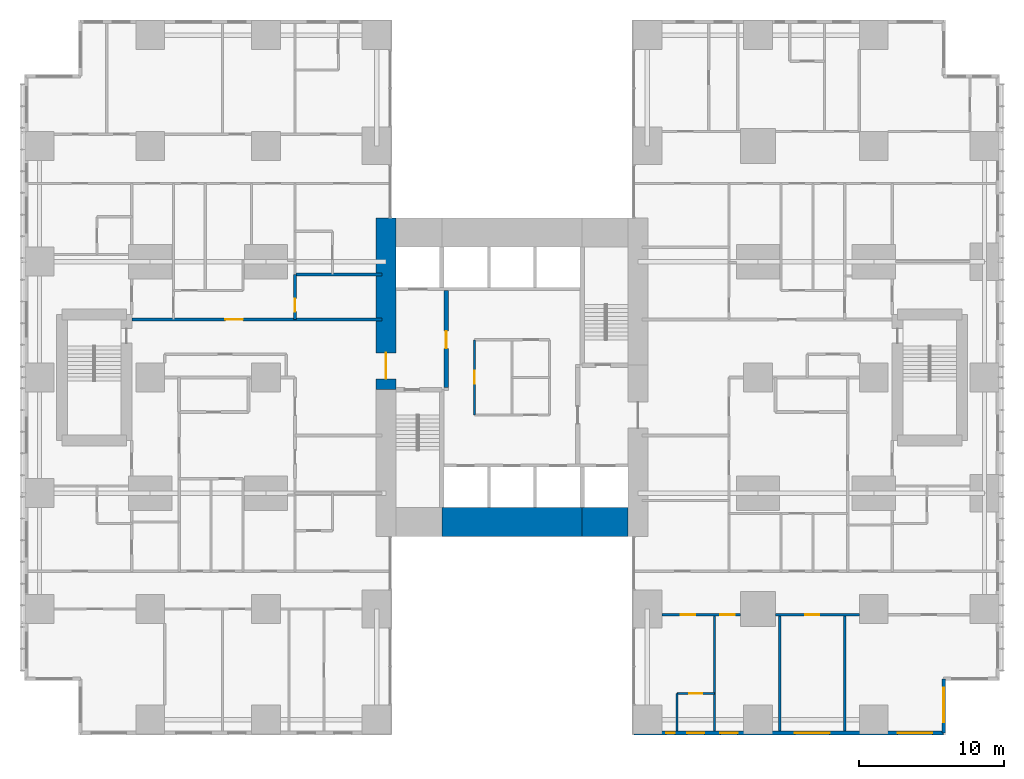
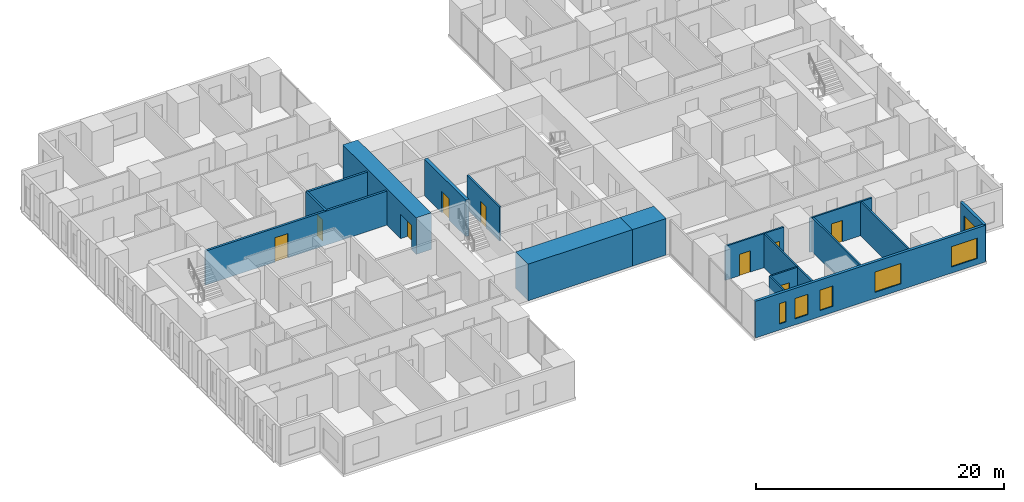
# One storey, part 14 of 20: 17 walls, 9 doors, 6 windows, 15 openings.
"""IFC4 building model written with IfcOpenShell, lengths in metres."""

from ifc_helpers import new_model, si_unit, direction, frame, frame_2d, origin, place, context, subcontext, project, spatial, rectangle, extrude, material, layer, layer_set, type_object, element, fill, save


model = new_model("IFC4")

# Units and contexts
model_context = context("Model", 3, precision=1e-05, world=origin(), true_north=direction((0.0, 1.0)))
body_context = subcontext(model_context, "Body", "Model", "MODEL_VIEW")
ifc_project = project(units=[si_unit("LENGTHUNIT", "METRE"), si_unit("AREAUNIT", "SQUARE_METRE"), si_unit("VOLUMEUNIT", "CUBIC_METRE"), si_unit("PLANEANGLEUNIT", "RADIAN"), si_unit("MASSUNIT", "GRAM", prefix="KILO")], contexts=[model_context])

# Site, building, storey
site_placement = place(None, origin())
site = spatial("IfcSite", under=ifc_project, at=site_placement, CompositionType="ELEMENT")
building_placement = place(site_placement, origin())
building = spatial("IfcBuilding", under=site, at=building_placement, Name="Cleftline Residences", CompositionType="ELEMENT")
storey_placement = place(building_placement, frame((0.0, 0.0, 44.0)))
storey = spatial("IfcBuildingStorey", under=building, at=storey_placement, Name="L10", CompositionType="ELEMENT", Elevation=44.0)

# Wall, opening, door
ifc_material_1 = material(Name="Concrete B70", Category="concrete")
ifc_layer_1 = layer(ifc_material_1, 1.39990234375)
ifc_layer_set_1 = layer_set([ifc_layer_1], Name="CORE WALL 1400")
wall_type_1 = type_object("IfcWallType", Name="CORE WALL 1400", PredefinedType="SHEAR", material=ifc_layer_set_1)
wall_1_placement = place(storey_placement, frame((24.300048828125, 23.14990234375, 0.0), z_axis=(0.0, 0.0, 1.0), x_axis=(0.0, 1.0, 0.0)))
wall_1 = element("IfcWall", 1, at=wall_1_placement, inside=storey, type_object=wall_type_1, Name="Core wall W", PredefinedType="SHEAR", context=body_context, shape_type="SweptSolid", body=[
    extrude(rectangle(XDim=11.85009765625, YDim=1.39990234375, at=frame_2d((5.925048828125, 0.0))), origin(), (0.0, 0.0, 1.0), 3.60009765625),
])
opening_1_placement = place(wall_1_placement, frame((0.75, 0.0, 0.0)))
opening_1 = element("IfcOpeningElement", 2, at=opening_1_placement, cuts=wall_1, Name="Opening D7", PredefinedType="OPENING", context=body_context, shape_type="SweptSolid", body=[
    extrude(rectangle(XDim=1.800048828125, YDim=2.39990234375, at=frame_2d((0.89990234375, 1.199951171875))), frame((0.0, 0.7099609375, 0.0), z_axis=(0.0, -1.0, 0.0), x_axis=(1.0, 0.0, 0.0)), (0.0, 0.0, 1.0), 1.419921875),
])
ifc_material_2 = material(Name="Steel", Category="steel")
door_type_1 = type_object("IfcDoorType", Name="WING DOOR 1800X2400", OperationType="DOUBLE_DOOR_DOUBLE_SWING", PredefinedType="DOOR", material=ifc_material_2)
door_1_placement = place(opening_1_placement, origin())
door_1 = element("IfcDoor", 3, at=door_1_placement, inside=storey, type_object=door_type_1, Name="West wing door", OperationType="DOUBLE_DOOR_DOUBLE_SWING", OverallHeight=2.39990234375, OverallWidth=1.800048828125, PredefinedType="DOOR", context=body_context, shape_type="SweptSolid", body=[
    extrude(rectangle(XDim=1.800048828125, YDim=2.39990234375, at=frame_2d((0.89990234375, 1.199951171875))), frame((0.0, 0.02490234375, 0.0), z_axis=(0.0, -1.0, 0.0), x_axis=(1.0, 0.0, 0.0)), (0.0, 0.0, 1.0), 0.050048828125),
])
fill(opening_1, door_1)

# Walls
ifc_material_3 = material(Name="Concrete B70", Category="concrete")
ifc_layer_2 = layer(ifc_material_3, 2.0)
ifc_layer_set_2 = layer_set([ifc_layer_2], Name="CORE WALL 2000")
wall_type_2 = type_object("IfcWallType", Name="CORE WALL 2000", PredefinedType="SHEAR", material=ifc_layer_set_2)
wall_2_placement = place(storey_placement, frame((28.14990234375, 14.0, 0.0), z_axis=(0.0, 0.0, 1.0), x_axis=(1.0, 0.0, 0.0)))
element("IfcWall", 4, at=wall_2_placement, inside=storey, type_object=wall_type_2, Name="Core wall S2", PredefinedType="SHEAR", context=body_context, shape_type="SweptSolid", body=[
    extrude(rectangle(XDim=9.7001953125, YDim=2.0, at=frame_2d((4.85009765625, 0.0))), origin(), (0.0, 0.0, 1.0), 3.60009765625),
])
wall_3_placement = place(storey_placement, frame((37.85009765625, 14.0, 0.0), z_axis=(0.0, 0.0, 1.0), x_axis=(1.0, 0.0, 0.0)))
element("IfcWall", 5, at=wall_3_placement, inside=storey, type_object=wall_type_2, Name="Core wall S3", PredefinedType="SHEAR", context=body_context, shape_type="SweptSolid", body=[
    extrude(rectangle(XDim=3.14990234375, YDim=2.0, at=frame_2d((1.574951171875, 0.0))), origin(), (0.0, 0.0, 1.0), 3.60009765625),
])

# Wall, openings, windows
ifc_material_4 = material(Name="Rendered reinforced concrete blockwork", Category="masonry")
ifc_layer_3 = layer(ifc_material_4, 0.25)
ifc_layer_set_3 = layer_set([ifc_layer_3], Name="EXTERNAL WALL 250")
wall_type_3 = type_object("IfcWallType", Name="EXTERNAL WALL 250", PredefinedType="SOLIDWALL", material=ifc_layer_set_3)
wall_4_placement = place(storey_placement, frame((41.425048828125, -0.574951171875, 0.0), z_axis=(0.0, 0.0, 1.0), x_axis=(1.0, 0.0, 0.0)))
wall_4 = element("IfcWall", 6, at=wall_4_placement, inside=storey, type_object=wall_type_3, Name="External wall", PredefinedType="SOLIDWALL", context=body_context, shape_type="SweptSolid", body=[
    extrude(rectangle(XDim=21.39990234375, YDim=0.25, at=frame_2d((10.699951171875, 0.0))), origin(), (0.0, 0.0, 1.0), 3.60009765625),
])
opening_2_placement = place(wall_4_placement, frame((2.22509765625, 0.0, 0.60009765625)))
opening_2 = element("IfcOpeningElement", 7, at=opening_2_placement, cuts=wall_4, Name="Opening W7", PredefinedType="OPENING", context=body_context, shape_type="SweptSolid", body=[
    extrude(rectangle(XDim=0.60009765625, YDim=2.0, at=frame_2d((0.300048828125, 1.0))), frame((0.0, 0.135009765625, 0.0), z_axis=(0.0, -1.0, 0.0), x_axis=(1.0, 0.0, 0.0)), (0.0, 0.0, 1.0), 0.27001953125),
])
opening_3_placement = place(wall_4_placement, frame((3.675048828125, 0.0, 0.60009765625)))
opening_3 = element("IfcOpeningElement", 8, at=opening_3_placement, cuts=wall_4, Name="Opening W8", PredefinedType="OPENING", context=body_context, shape_type="SweptSolid", body=[
    extrude(rectangle(XDim=1.199951171875, YDim=2.0, at=frame_2d((0.60009765625, 1.0))), frame((0.0, 0.135009765625, 0.0), z_axis=(0.0, -1.0, 0.0), x_axis=(1.0, 0.0, 0.0)), (0.0, 0.0, 1.0), 0.27001953125),
])
opening_4_placement = place(wall_4_placement, frame((5.97509765625, 0.0, 0.60009765625)))
opening_4 = element("IfcOpeningElement", 9, at=opening_4_placement, cuts=wall_4, Name="Opening W8", PredefinedType="OPENING", context=body_context, shape_type="SweptSolid", body=[
    extrude(rectangle(XDim=1.199951171875, YDim=2.0, at=frame_2d((0.60009765625, 1.0))), frame((0.0, 0.135009765625, 0.0), z_axis=(0.0, -1.0, 0.0), x_axis=(1.0, 0.0, 0.0)), (0.0, 0.0, 1.0), 0.27001953125),
])
opening_5_placement = place(wall_4_placement, frame((11.125, 0.0, 0.60009765625)))
opening_5 = element("IfcOpeningElement", 10, at=opening_5_placement, cuts=wall_4, Name="Opening W6", PredefinedType="OPENING", context=body_context, shape_type="SweptSolid", body=[
    extrude(rectangle(XDim=2.39990234375, YDim=2.0, at=frame_2d((1.199951171875, 1.0))), frame((0.0, 0.135009765625, 0.0), z_axis=(0.0, -1.0, 0.0), x_axis=(1.0, 0.0, 0.0)), (0.0, 0.0, 1.0), 0.27001953125),
])
opening_6_placement = place(wall_4_placement, frame((18.22509765625, 0.0, 0.60009765625)))
opening_6 = element("IfcOpeningElement", 11, at=opening_6_placement, cuts=wall_4, Name="Opening W6", PredefinedType="OPENING", context=body_context, shape_type="SweptSolid", body=[
    extrude(rectangle(XDim=2.39990234375, YDim=2.0, at=frame_2d((1.199951171875, 1.0))), frame((0.0, 0.135009765625, 0.0), z_axis=(0.0, -1.0, 0.0), x_axis=(1.0, 0.0, 0.0)), (0.0, 0.0, 1.0), 0.27001953125),
])
ifc_material_5 = material(Name="Aluminium frame, clear double glazing", Category="aluminium")
window_type_1 = type_object("IfcWindowType", Name="WINDOW 1200X2000", PartitioningType="DOUBLE_PANEL_VERTICAL", PredefinedType="WINDOW", material=ifc_material_5)
window_1_placement = place(opening_3_placement, origin())
window_1 = element("IfcWindow", 12, at=window_1_placement, inside=storey, type_object=window_type_1, Name="Window", OverallHeight=2.0, OverallWidth=1.199951171875, PartitioningType="SINGLE_PANEL", PredefinedType="WINDOW", context=body_context, shape_type="SweptSolid", body=[
    extrude(rectangle(XDim=1.199951171875, YDim=2.0, at=frame_2d((0.60009765625, 1.0))), frame((0.0, 0.030029296875, 0.0), z_axis=(0.0, -1.0, 0.0), x_axis=(1.0, 0.0, 0.0)), (0.0, 0.0, 1.0), 0.06005859375),
])
fill(opening_3, window_1)
window_2_placement = place(opening_4_placement, origin())
window_2 = element("IfcWindow", 13, at=window_2_placement, inside=storey, type_object=window_type_1, Name="Window", OverallHeight=2.0, OverallWidth=1.199951171875, PartitioningType="SINGLE_PANEL", PredefinedType="WINDOW", context=body_context, shape_type="SweptSolid", body=[
    extrude(rectangle(XDim=1.199951171875, YDim=2.0, at=frame_2d((0.60009765625, 1.0))), frame((0.0, 0.030029296875, 0.0), z_axis=(0.0, -1.0, 0.0), x_axis=(1.0, 0.0, 0.0)), (0.0, 0.0, 1.0), 0.06005859375),
])
fill(opening_4, window_2)
ifc_material_6 = material(Name="Aluminium frame, clear double glazing", Category="aluminium")
window_type_2 = type_object("IfcWindowType", Name="WINDOW 2400X2000", PartitioningType="DOUBLE_PANEL_VERTICAL", PredefinedType="WINDOW", material=ifc_material_6)
window_3_placement = place(opening_5_placement, origin())
window_3 = element("IfcWindow", 14, at=window_3_placement, inside=storey, type_object=window_type_2, Name="Window", OverallHeight=2.0, OverallWidth=2.39990234375, PartitioningType="SINGLE_PANEL", PredefinedType="WINDOW", context=body_context, shape_type="SweptSolid", body=[
    extrude(rectangle(XDim=2.39990234375, YDim=2.0, at=frame_2d((1.199951171875, 1.0))), frame((0.0, 0.030029296875, 0.0), z_axis=(0.0, -1.0, 0.0), x_axis=(1.0, 0.0, 0.0)), (0.0, 0.0, 1.0), 0.06005859375),
])
fill(opening_5, window_3)
window_4_placement = place(opening_6_placement, origin())
window_4 = element("IfcWindow", 15, at=window_4_placement, inside=storey, type_object=window_type_2, Name="Window", OverallHeight=2.0, OverallWidth=2.39990234375, PartitioningType="SINGLE_PANEL", PredefinedType="WINDOW", context=body_context, shape_type="SweptSolid", body=[
    extrude(rectangle(XDim=2.39990234375, YDim=2.0, at=frame_2d((1.199951171875, 1.0))), frame((0.0, 0.030029296875, 0.0), z_axis=(0.0, -1.0, 0.0), x_axis=(1.0, 0.0, 0.0)), (0.0, 0.0, 1.0), 0.06005859375),
])
fill(opening_6, window_4)
ifc_material_7 = material(Name="Aluminium frame, clear double glazing", Category="aluminium")
window_type_3 = type_object("IfcWindowType", Name="WINDOW 600X2000", PartitioningType="DOUBLE_PANEL_VERTICAL", PredefinedType="WINDOW", material=ifc_material_7)
window_5_placement = place(opening_2_placement, origin())
window_5 = element("IfcWindow", 16, at=window_5_placement, inside=storey, type_object=window_type_3, Name="Window", OverallHeight=2.0, OverallWidth=0.60009765625, PartitioningType="SINGLE_PANEL", PredefinedType="WINDOW", context=body_context, shape_type="SweptSolid", body=[
    extrude(rectangle(XDim=0.60009765625, YDim=2.0, at=frame_2d((0.300048828125, 1.0))), frame((0.0, 0.030029296875, 0.0), z_axis=(0.0, -1.0, 0.0), x_axis=(1.0, 0.0, 0.0)), (0.0, 0.0, 1.0), 0.06005859375),
])
fill(opening_2, window_5)

# Wall, opening, window
wall_5_placement = place(storey_placement, frame((62.824951171875, -0.574951171875, 0.0), z_axis=(0.0, 0.0, 1.0), x_axis=(0.0, 1.0, 0.0)))
wall_5 = element("IfcWall", 17, at=wall_5_placement, inside=storey, type_object=wall_type_3, Name="External wall", PredefinedType="SOLIDWALL", context=body_context, shape_type="SweptSolid", body=[
    extrude(rectangle(XDim=3.75, YDim=0.25, at=frame_2d((1.875, 0.0))), origin(), (0.0, 0.0, 1.0), 3.60009765625),
])
opening_7_placement = place(wall_5_placement, frame((0.737548828125, 0.0, 0.60009765625)))
opening_7 = element("IfcOpeningElement", 18, at=opening_7_placement, cuts=wall_5, Name="Opening W6", PredefinedType="OPENING", context=body_context, shape_type="SweptSolid", body=[
    extrude(rectangle(XDim=2.39990234375, YDim=2.0, at=frame_2d((1.199951171875, 1.0))), frame((0.0, 0.135009765625, 0.0), z_axis=(0.0, -1.0, 0.0), x_axis=(1.0, 0.0, 0.0)), (0.0, 0.0, 1.0), 0.27001953125),
])
window_6_placement = place(opening_7_placement, origin())
window_6 = element("IfcWindow", 19, at=window_6_placement, inside=storey, type_object=window_type_2, Name="Window", OverallHeight=2.0, OverallWidth=2.39990234375, PartitioningType="SINGLE_PANEL", PredefinedType="WINDOW", context=body_context, shape_type="SweptSolid", body=[
    extrude(rectangle(XDim=2.39990234375, YDim=2.0, at=frame_2d((1.199951171875, 1.0))), frame((0.0, 0.030029296875, 0.0), z_axis=(0.0, -1.0, 0.0), x_axis=(1.0, 0.0, 0.0)), (0.0, 0.0, 1.0), 0.06005859375),
])
fill(opening_7, window_6)

# Wall, opening, door
ifc_material_8 = material(Name="Concrete blockwork, fire rated", Category="masonry")
ifc_layer_4 = layer(ifc_material_8, 0.199951171875)
ifc_layer_set_4 = layer_set([ifc_layer_4], Name="FIRE WALL 200")
wall_type_4 = type_object("IfcWallType", Name="FIRE WALL 200", PredefinedType="PARTITIONING", material=ifc_layer_set_4)
wall_6_placement = place(storey_placement, frame((6.72509765625, 28.0, 0.0), z_axis=(0.0, 0.0, 1.0), x_axis=(1.0, 0.0, 0.0)))
wall_6 = element("IfcWall", 20, at=wall_6_placement, inside=storey, type_object=wall_type_4, Name="Fire separating wall", PredefinedType="PARTITIONING", context=body_context, shape_type="SweptSolid", body=[
    extrude(rectangle(XDim=17.27490234375, YDim=0.199951171875, at=frame_2d((8.637451171875, 0.0))), origin(), (0.0, 0.0, 1.0), 3.35009765625),
])
opening_8_placement = place(wall_6_placement, frame((6.47509765625, 0.0, 0.0)))
opening_8 = element("IfcOpeningElement", 21, at=opening_8_placement, cuts=wall_6, Name="Opening D4", PredefinedType="OPENING", context=body_context, shape_type="SweptSolid", body=[
    extrude(rectangle(XDim=1.199951171875, YDim=2.39990234375, at=frame_2d((0.60009765625, 1.199951171875))), frame((0.0, 0.10986328125, 0.0), z_axis=(0.0, -1.0, 0.0), x_axis=(1.0, 0.0, 0.0)), (0.0, 0.0, 1.0), 0.219970703125),
])
ifc_material_9 = material(Name="Timber veneer on solid core", Category="wood")
door_type_2 = type_object("IfcDoorType", Name="APARTMENT ENTRANCE DOOR 1200X2400", OperationType="SINGLE_SWING_RIGHT", PredefinedType="DOOR", material=ifc_material_9)
door_2_placement = place(opening_8_placement, origin())
door_2 = element("IfcDoor", 22, at=door_2_placement, inside=storey, type_object=door_type_2, Name="Door to residence entrance foyer", OperationType="SINGLE_SWING_RIGHT", OverallHeight=2.39990234375, OverallWidth=1.199951171875, PredefinedType="DOOR", context=body_context, shape_type="SweptSolid", body=[
    extrude(rectangle(XDim=1.199951171875, YDim=2.39990234375, at=frame_2d((0.60009765625, 1.199951171875))), frame((0.0, 0.02490234375, 0.0), z_axis=(0.0, -1.0, 0.0), x_axis=(1.0, 0.0, 0.0)), (0.0, 0.0, 1.0), 0.050048828125),
])
fill(opening_8, door_2)

# Wall
wall_7_placement = place(storey_placement, frame((18.0, 31.10009765625, 0.0), z_axis=(0.0, 0.0, 1.0), x_axis=(1.0, 0.0, 0.0)))
element("IfcWall", 23, at=wall_7_placement, inside=storey, type_object=wall_type_4, Name="Fire separating wall", PredefinedType="PARTITIONING", context=body_context, shape_type="SweptSolid", body=[
    extrude(rectangle(XDim=6.0, YDim=0.199951171875, at=frame_2d((3.0, 0.0))), origin(), (0.0, 0.0, 1.0), 3.35009765625),
])

# Wall, opening, door
wall_8_placement = place(storey_placement, frame((18.0, 28.0, 0.0), z_axis=(0.0, 0.0, 1.0), x_axis=(0.0, 1.0, 0.0)))
wall_8 = element("IfcWall", 24, at=wall_8_placement, inside=storey, type_object=wall_type_4, Name="Fire separating wall", PredefinedType="PARTITIONING", context=body_context, shape_type="SweptSolid", body=[
    extrude(rectangle(XDim=3.10009765625, YDim=0.199951171875, at=frame_2d((1.550048828125, 0.0))), origin(), (0.0, 0.0, 1.0), 3.35009765625),
])
opening_9_placement = place(wall_8_placement, frame((0.550048828125, 0.0, 0.0)))
opening_9 = element("IfcOpeningElement", 25, at=opening_9_placement, cuts=wall_8, Name="Opening D1F30", PredefinedType="OPENING", context=body_context, shape_type="SweptSolid", body=[
    extrude(rectangle(XDim=0.89990234375, YDim=2.10009765625, at=frame_2d((0.449951171875, 1.050048828125))), frame((0.0, 0.10986328125, 0.0), z_axis=(0.0, -1.0, 0.0), x_axis=(1.0, 0.0, 0.0)), (0.0, 0.0, 1.0), 0.219970703125),
])
ifc_material_10 = material(Name="Timber veneer on solid core", Category="wood")
door_type_3 = type_object("IfcDoorType", Name="DOOR 900X2100 EI 30", OperationType="SINGLE_SWING_LEFT", PredefinedType="DOOR", material=ifc_material_10)
door_3_placement = place(opening_9_placement, origin())
door_3 = element("IfcDoor", 26, at=door_3_placement, inside=storey, type_object=door_type_3, Name="Door to laundry and wc", OperationType="SINGLE_SWING_RIGHT", OverallHeight=2.10009765625, OverallWidth=0.89990234375, PredefinedType="DOOR", context=body_context, shape_type="SweptSolid", body=[
    extrude(rectangle(XDim=0.89990234375, YDim=2.10009765625, at=frame_2d((0.449951171875, 1.050048828125))), frame((0.0, 0.02490234375, 0.0), z_axis=(0.0, -1.0, 0.0), x_axis=(1.0, 0.0, 0.0)), (0.0, 0.0, 1.0), 0.050048828125),
])
fill(opening_9, door_3)

ifc_material_11 = material(Name="Gypsum board on steel studs", Category="steel")
ifc_layer_5 = layer(ifc_material_11, 0.14990234375)
ifc_layer_set_5 = layer_set([ifc_layer_5], Name="PARTITION 150")
wall_type_5 = type_object("IfcWallType", Name="PARTITION 150", PredefinedType="PARTITIONING", material=ifc_layer_set_5)
wall_9_placement = place(storey_placement, frame((44.39990234375, 2.14990234375, 0.0), z_axis=(0.0, 0.0, 1.0), x_axis=(1.0, 0.0, 0.0)))
wall_9 = element("IfcWall", 27, at=wall_9_placement, inside=storey, type_object=wall_type_5, Name="Partition", PredefinedType="PARTITIONING", context=body_context, shape_type="SweptSolid", body=[
    extrude(rectangle(XDim=2.60009765625, YDim=0.14990234375, at=frame_2d((1.300048828125, 0.0))), origin(), (0.0, 0.0, 1.0), 3.35009765625),
])
opening_10_placement = place(wall_9_placement, frame((0.85009765625, 0.0, 0.0)))
opening_10 = element("IfcOpeningElement", 28, at=opening_10_placement, cuts=wall_9, Name="Opening D1", PredefinedType="OPENING", context=body_context, shape_type="SweptSolid", body=[
    extrude(rectangle(XDim=0.89990234375, YDim=2.10009765625, at=frame_2d((0.449951171875, 1.050048828125))), frame((0.0, 0.0849609375, 0.0), z_axis=(0.0, -1.0, 0.0), x_axis=(1.0, 0.0, 0.0)), (0.0, 0.0, 1.0), 0.169921875),
])
ifc_material_12 = material(Name="Timber veneer on solid core", Category="wood")
door_type_4 = type_object("IfcDoorType", Name="DOOR 900X2100", OperationType="SINGLE_SWING_LEFT", PredefinedType="DOOR", material=ifc_material_12)
door_4_placement = place(opening_10_placement, origin())
door_4 = element("IfcDoor", 29, at=door_4_placement, inside=storey, type_object=door_type_4, Name="Door to en-suite bathroom 3", OperationType="SINGLE_SWING_LEFT", OverallHeight=2.10009765625, OverallWidth=0.89990234375, PredefinedType="DOOR", context=body_context, shape_type="SweptSolid", body=[
    extrude(rectangle(XDim=0.89990234375, YDim=2.10009765625, at=frame_2d((0.449951171875, 1.050048828125))), frame((0.0, 0.02490234375, 0.0), z_axis=(0.0, -1.0, 0.0), x_axis=(1.0, 0.0, 0.0)), (0.0, 0.0, 1.0), 0.050048828125),
])
fill(opening_10, door_4)

# Wall, openings, doors
wall_10_placement = place(storey_placement, frame((43.35009765625, 7.60009765625, 0.0), z_axis=(0.0, 0.0, 1.0), x_axis=(1.0, 0.0, 0.0)))
wall_10 = element("IfcWall", 30, at=wall_10_placement, inside=storey, type_object=wall_type_5, Name="Partition", PredefinedType="PARTITIONING", context=body_context, shape_type="SweptSolid", body=[
    extrude(rectangle(XDim=5.449951171875, YDim=0.14990234375, at=frame_2d((2.72509765625, 0.0))), origin(), (0.0, 0.0, 1.0), 3.35009765625),
])
opening_11_placement = place(wall_10_placement, frame((4.050048828125, 0.0, 0.0)))
opening_11 = element("IfcOpeningElement", 31, at=opening_11_placement, cuts=wall_10, Name="Opening D2", PredefinedType="OPENING", context=body_context, shape_type="SweptSolid", body=[
    extrude(rectangle(XDim=1.0, YDim=2.10009765625, at=frame_2d((0.5, 1.050048828125))), frame((0.0, 0.0849609375, 0.0), z_axis=(0.0, -1.0, 0.0), x_axis=(1.0, 0.0, 0.0)), (0.0, 0.0, 1.0), 0.169921875),
])
opening_12_placement = place(wall_10_placement, frame((1.324951171875, 0.0, 0.0)))
opening_12 = element("IfcOpeningElement", 32, at=opening_12_placement, cuts=wall_10, Name="Opening D2", PredefinedType="OPENING", context=body_context, shape_type="SweptSolid", body=[
    extrude(rectangle(XDim=1.0, YDim=2.10009765625, at=frame_2d((0.5, 1.050048828125))), frame((0.0, 0.0849609375, 0.0), z_axis=(0.0, -1.0, 0.0), x_axis=(1.0, 0.0, 0.0)), (0.0, 0.0, 1.0), 0.169921875),
])
ifc_material_13 = material(Name="Timber veneer on solid core", Category="wood")
door_type_5 = type_object("IfcDoorType", Name="DOOR 1000X2100", OperationType="SINGLE_SWING_LEFT", PredefinedType="DOOR", material=ifc_material_13)
door_5_placement = place(opening_11_placement, origin())
door_5 = element("IfcDoor", 33, at=door_5_placement, inside=storey, type_object=door_type_5, Name="Door to show kitchen", OperationType="SINGLE_SWING_LEFT", OverallHeight=2.10009765625, OverallWidth=1.0, PredefinedType="DOOR", context=body_context, shape_type="SweptSolid", body=[
    extrude(rectangle(XDim=1.0, YDim=2.10009765625, at=frame_2d((0.5, 1.050048828125))), frame((0.0, 0.02490234375, 0.0), z_axis=(0.0, -1.0, 0.0), x_axis=(1.0, 0.0, 0.0)), (0.0, 0.0, 1.0), 0.050048828125),
])
fill(opening_11, door_5)
door_6_placement = place(opening_12_placement, origin())
door_6 = element("IfcDoor", 34, at=door_6_placement, inside=storey, type_object=door_type_5, Name="Door to bedroom 3", OperationType="SINGLE_SWING_RIGHT", OverallHeight=2.10009765625, OverallWidth=1.0, PredefinedType="DOOR", context=body_context, shape_type="SweptSolid", body=[
    extrude(rectangle(XDim=1.0, YDim=2.10009765625, at=frame_2d((0.5, 1.050048828125))), frame((0.0, 0.02490234375, 0.0), z_axis=(0.0, -1.0, 0.0), x_axis=(1.0, 0.0, 0.0)), (0.0, 0.0, 1.0), 0.050048828125),
])
fill(opening_12, door_6)

# Wall, opening, door
wall_11_placement = place(storey_placement, frame((51.199951171875, 7.60009765625, 0.0), z_axis=(0.0, 0.0, 1.0), x_axis=(1.0, 0.0, 0.0)))
wall_11 = element("IfcWall", 35, at=wall_11_placement, inside=storey, type_object=wall_type_5, Name="Partition", PredefinedType="PARTITIONING", context=body_context, shape_type="SweptSolid", body=[
    extrude(rectangle(XDim=5.800048828125, YDim=0.14990234375, at=frame_2d((2.89990234375, 0.0))), origin(), (0.0, 0.0, 1.0), 3.35009765625),
])
opening_13_placement = place(wall_11_placement, frame((2.050048828125, 0.0, 0.0)))
opening_13 = element("IfcOpeningElement", 36, at=opening_13_placement, cuts=wall_11, Name="Opening D2", PredefinedType="OPENING", context=body_context, shape_type="SweptSolid", body=[
    extrude(rectangle(XDim=1.0, YDim=2.10009765625, at=frame_2d((0.5, 1.050048828125))), frame((0.0, 0.0849609375, 0.0), z_axis=(0.0, -1.0, 0.0), x_axis=(1.0, 0.0, 0.0)), (0.0, 0.0, 1.0), 0.169921875),
])
door_7_placement = place(opening_13_placement, origin())
door_7 = element("IfcDoor", 37, at=door_7_placement, inside=storey, type_object=door_type_5, Name="Door to dining room", OperationType="SINGLE_SWING_RIGHT", OverallHeight=2.10009765625, OverallWidth=1.0, PredefinedType="DOOR", context=body_context, shape_type="SweptSolid", body=[
    extrude(rectangle(XDim=1.0, YDim=2.10009765625, at=frame_2d((0.5, 1.050048828125))), frame((0.0, 0.02490234375, 0.0), z_axis=(0.0, -1.0, 0.0), x_axis=(1.0, 0.0, 0.0)), (0.0, 0.0, 1.0), 0.050048828125),
])
fill(opening_13, door_7)

# Walls
wall_12_placement = place(storey_placement, frame((44.39990234375, -0.449951171875, 0.0), z_axis=(0.0, 0.0, 1.0), x_axis=(0.0, 1.0, 0.0)))
element("IfcWall", 38, at=wall_12_placement, inside=storey, type_object=wall_type_5, Name="Partition", PredefinedType="PARTITIONING", context=body_context, shape_type="SweptSolid", body=[
    extrude(rectangle(XDim=2.599853515625, YDim=0.14990234375, at=frame_2d((1.2998046875, 0.0))), origin(), (0.0, 0.0, 1.0), 3.35009765625),
])
for number, where, z_axis, x_axis, name in (
    (39, (47.0, -0.449951171875, 0.0), (0.0, 0.0, 1.0), (0.0, 1.0, 0.0), "Partition"),
    (40, (51.5, -0.449951171875, 0.0), (0.0, 0.0, 1.0), (0.0, 1.0, 0.0), "Partition"),
    (41, (56.0, -0.449951171875, 0.0), (0.0, 0.0, 1.0), (0.0, 1.0, 0.0), "Partition"),
):
    element("IfcWall", number, at=place(storey_placement, frame(where, z_axis=z_axis, x_axis=x_axis)), inside=storey, type_object=wall_type_5, Name=name, PredefinedType="PARTITIONING", context=body_context, shape_type="SweptSolid", body=[
        extrude(rectangle(XDim=8.050048828125, YDim=0.14990234375, at=frame_2d((4.02490234375, 0.0))), origin(), (0.0, 0.0, 1.0), 3.35009765625),
    ])

# Wall, opening, door
ifc_material_14 = material(Name="Fire-resisting gypsum board on steel studs", Category="steel")
ifc_layer_6 = layer(ifc_material_14, 0.14990234375)
ifc_layer_set_6 = layer_set([ifc_layer_6], Name="PARTITION 150 EI 60")
wall_type_6 = type_object("IfcWallType", Name="PARTITION 150 EI 60", PredefinedType="PARTITIONING", material=ifc_layer_set_6)
wall_13_placement = place(storey_placement, frame((30.39990234375, 21.39990234375, 0.0), z_axis=(0.0, 0.0, 1.0), x_axis=(0.0, 1.0, 0.0)))
wall_13 = element("IfcWall", 42, at=wall_13_placement, inside=storey, type_object=wall_type_6, Name="Core room partition", PredefinedType="PARTITIONING", context=body_context, shape_type="SweptSolid", body=[
    extrude(rectangle(XDim=5.2001953125, YDim=0.14990234375, at=frame_2d((2.60009765625, 0.0))), origin(), (0.0, 0.0, 1.0), 3.35009765625),
])
opening_14_placement = place(wall_13_placement, frame((2.14990234375, 0.0, 0.0)))
opening_14 = element("IfcOpeningElement", 43, at=opening_14_placement, cuts=wall_13, Name="Opening D1F30", PredefinedType="OPENING", context=body_context, shape_type="SweptSolid", body=[
    extrude(rectangle(XDim=0.89990234375, YDim=2.10009765625, at=frame_2d((0.449951171875, 1.050048828125))), frame((0.0, 0.0849609375, 0.0), z_axis=(0.0, -1.0, 0.0), x_axis=(1.0, 0.0, 0.0)), (0.0, 0.0, 1.0), 0.169921875),
])
door_8_placement = place(opening_14_placement, origin())
door_8 = element("IfcDoor", 44, at=door_8_placement, inside=storey, type_object=door_type_3, Name="Door to linen store", OperationType="SINGLE_SWING_LEFT", OverallHeight=2.10009765625, OverallWidth=0.89990234375, PredefinedType="DOOR", context=body_context, shape_type="SweptSolid", body=[
    extrude(rectangle(XDim=0.89990234375, YDim=2.10009765625, at=frame_2d((0.449951171875, 1.050048828125))), frame((0.0, 0.02490234375, 0.0), z_axis=(0.0, -1.0, 0.0), x_axis=(1.0, 0.0, 0.0)), (0.0, 0.0, 1.0), 0.050048828125),
])
fill(opening_14, door_8)

ifc_material_15 = material(Name="Concrete blockwork, fire rated", Category="masonry")
ifc_layer_7 = layer(ifc_material_15, 0.300048828125)
ifc_layer_set_7 = layer_set([ifc_layer_7], Name="STAIR LOBBY WALL 300")
wall_type_7 = type_object("IfcWallType", Name="STAIR LOBBY WALL 300", PredefinedType="PARTITIONING", material=ifc_layer_set_7)
wall_14_placement = place(storey_placement, frame((28.449951171875, 23.300048828125, 0.0), z_axis=(0.0, 0.0, 1.0), x_axis=(0.0, 1.0, 0.0)))
wall_14 = element("IfcWall", 45, at=wall_14_placement, inside=storey, type_object=wall_type_7, Name="Stair and lobby wall FA-E", PredefinedType="PARTITIONING", context=body_context, shape_type="SweptSolid", body=[
    extrude(rectangle(XDim=6.699951171875, YDim=0.300048828125, at=frame_2d((3.35009765625, 0.0))), origin(), (0.0, 0.0, 1.0), 3.60009765625),
])
opening_15_placement = place(wall_14_placement, frame((2.699951171875, 0.0, 0.0)))
opening_15 = element("IfcOpeningElement", 46, at=opening_15_placement, cuts=wall_14, Name="Opening D6", PredefinedType="OPENING", context=body_context, shape_type="SweptSolid", body=[
    extrude(rectangle(XDim=1.199951171875, YDim=2.10009765625, at=frame_2d((0.60009765625, 1.050048828125))), frame((0.0, 0.159912109375, 0.0), z_axis=(0.0, -1.0, 0.0), x_axis=(1.0, 0.0, 0.0)), (0.0, 0.0, 1.0), 0.320068359375),
])
ifc_material_16 = material(Name="Steel", Category="steel")
door_type_6 = type_object("IfcDoorType", Name="LOBBY DOOR 1200X2100", OperationType="SINGLE_SWING_RIGHT", PredefinedType="DOOR", material=ifc_material_16)
door_9_placement = place(opening_15_placement, origin())
door_9 = element("IfcDoor", 47, at=door_9_placement, inside=storey, type_object=door_type_6, Name="Firefighting lobby A door", OperationType="SINGLE_SWING_RIGHT", OverallHeight=2.10009765625, OverallWidth=1.199951171875, PredefinedType="DOOR", context=body_context, shape_type="SweptSolid", body=[
    extrude(rectangle(XDim=1.199951171875, YDim=2.10009765625, at=frame_2d((0.60009765625, 1.050048828125))), frame((0.0, 0.02490234375, 0.0), z_axis=(0.0, -1.0, 0.0), x_axis=(1.0, 0.0, 0.0)), (0.0, 0.0, 1.0), 0.050048828125),
])
fill(opening_15, door_9)

save(model, "model.ifc")
